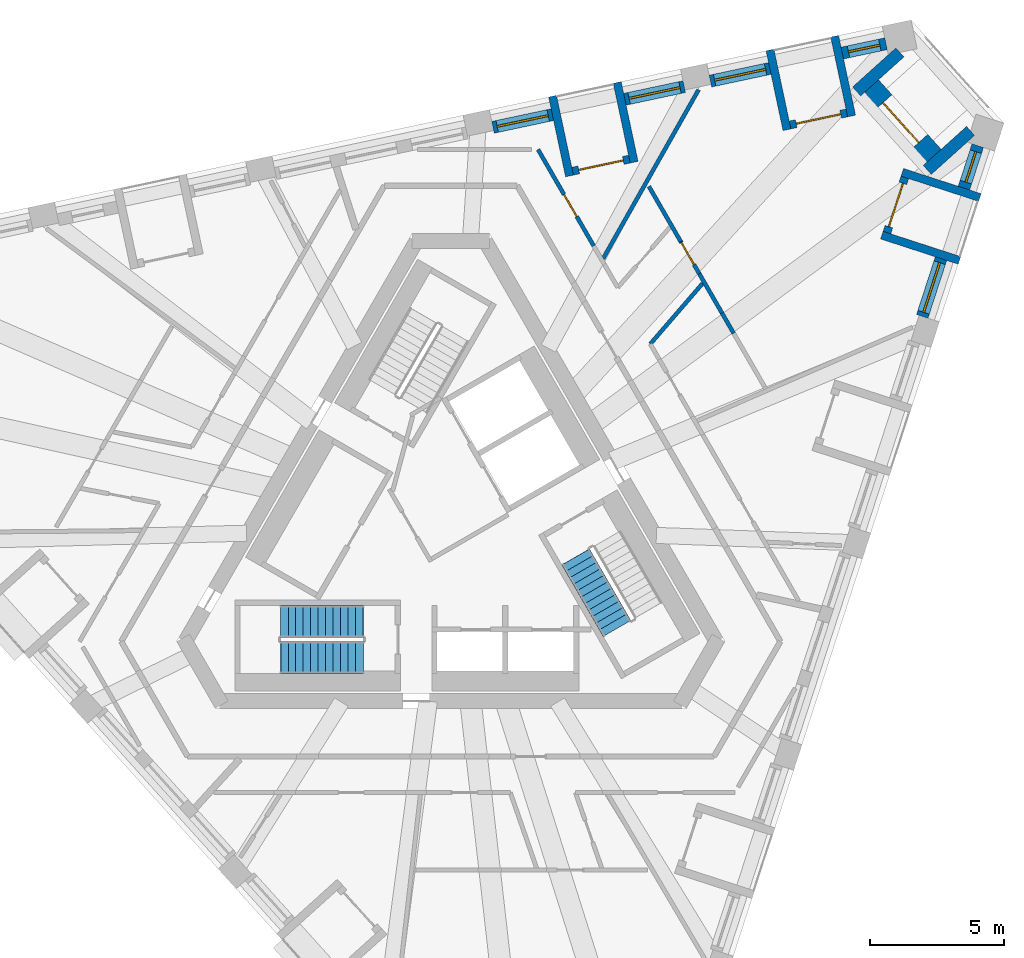
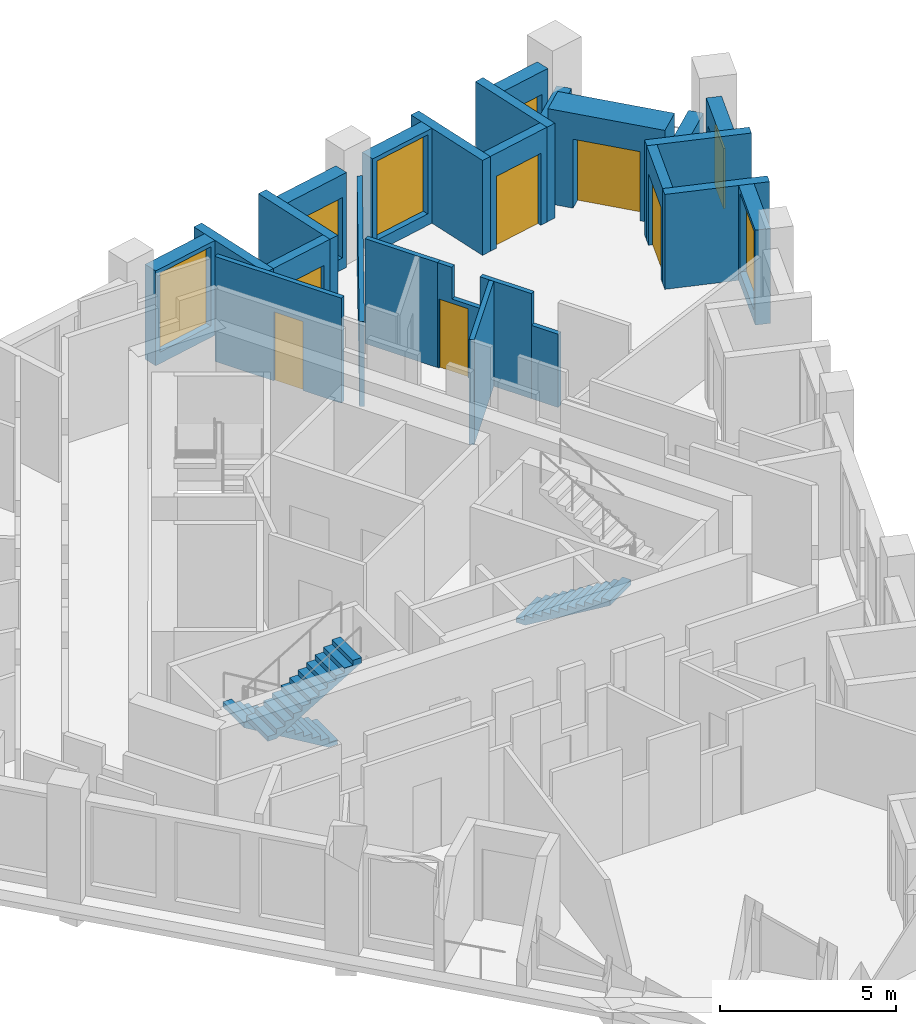
# One storey, part 8 of 13: 25 walls, 6 doors, 6 windows, 3 stair flights, 12 openings, 2 elements without a shape of their own.
"""IFC4 building model written with IfcOpenShell, lengths in metres."""

from ifc_helpers import new_model, si_unit, direction, frame, frame_2d, origin, place, context, subcontext, project, spatial, polyline, rectangle, outline, extrude, material, layer, layer_set, type_object, element, fill, aggregate, save


model = new_model("IFC4")

# Units and contexts
model_context = context("Model", 3, precision=1e-05, world=origin(), true_north=direction((0.0, 1.0)))
body_context = subcontext(model_context, "Body", "Model", "MODEL_VIEW")
ifc_project = project(units=[si_unit("LENGTHUNIT", "METRE"), si_unit("AREAUNIT", "SQUARE_METRE"), si_unit("VOLUMEUNIT", "CUBIC_METRE"), si_unit("PLANEANGLEUNIT", "RADIAN"), si_unit("MASSUNIT", "GRAM", prefix="KILO")], contexts=[model_context])

# Site, building, storey
site_placement = place(None, origin())
site = spatial("IfcSite", under=ifc_project, at=site_placement, CompositionType="ELEMENT")
building_placement = place(site_placement, origin())
building = spatial("IfcBuilding", under=site, at=building_placement, Name="Tramontana Tower", CompositionType="ELEMENT")
storey_placement = place(building_placement, frame((0.0, 0.0, 328.39990234375)))
storey = spatial("IfcBuildingStorey", under=building, at=storey_placement, Name="L75", CompositionType="ELEMENT", Elevation=328.39990234375)

# Wall, opening, window
ifc_material_1 = material(Name="Precast concrete 60 MPa", Category="concrete")
ifc_layer_1 = layer(ifc_material_1, 0.449951171875)
ifc_layer_set_1 = layer_set([ifc_layer_1], Name="Precast concrete 60 MPa, 450 mm")
wall_type_1 = type_object("IfcWallType", Name="EW1 Stone-faced precast wall 450", PredefinedType="SOLIDWALL", material=ifc_layer_set_1)
wall_1_placement = place(storey_placement, frame((17.632080078125, 7.9091796875, 0.0), z_axis=(0.0, 0.0, 1.0), x_axis=(0.309027740273, 0.951053024674, 0.0)))
wall_1 = element("IfcWall", 1, at=wall_1_placement, inside=storey, type_object=wall_type_1, Name="External wall L75 face 1 bay 5", PredefinedType="SOLIDWALL", context=body_context, shape_type="SweptSolid", body=[
    extrude(rectangle(XDim=2.271240234375, YDim=0.449951171875, at=frame_2d((1.1357421875, 0.0))), origin(), (0.0, 0.0, 1.0), 3.300048828125),
])
opening_1_placement = place(wall_1_placement, frame((0.16064453125, 0.0, 0.39990234375)))
opening_1 = element("IfcOpeningElement", 2, at=opening_1_placement, cuts=wall_1, Name="Opening M3", PredefinedType="OPENING", context=body_context, shape_type="SweptSolid", body=[
    extrude(rectangle(XDim=1.949951171875, YDim=2.75, at=frame_2d((0.97509765625, 1.375))), frame((0.0, 0.23486328125, 0.0), z_axis=(0.0, -1.0, 0.0), x_axis=(1.0, 0.0, 0.0)), (0.0, 0.0, 1.0), 0.469970703125),
])
ifc_material_2 = material(Name="Aluminum frame, double glazing unit", Category="aluminium")
window_type_1 = type_object("IfcWindowType", Name="M3 Window 1.95 x 2.75", PartitioningType="SINGLE_PANEL", PredefinedType="WINDOW", material=ifc_material_2)
window_1_placement = place(opening_1_placement, origin())
window_1 = element("IfcWindow", 3, at=window_1_placement, inside=storey, type_object=window_type_1, Name="Window M3 L75 face 1 module 13", OverallHeight=2.75, OverallWidth=1.949951171875, PartitioningType="SINGLE_PANEL", PredefinedType="WINDOW", context=body_context, shape_type="SweptSolid", body=[
    extrude(rectangle(XDim=1.949951171875, YDim=2.75, at=frame_2d((0.97509765625, 1.375))), frame((0.0, 0.030029296875, 0.0), z_axis=(0.0, -1.0, 0.0), x_axis=(1.0, 0.0, 0.0)), (0.0, 0.0, 1.0), 0.06005859375),
])
fill(opening_1, window_1)

wall_2_placement = place(storey_placement, frame((19.1904296875, 12.705078125, 0.0), z_axis=(0.0, 0.0, 1.0), x_axis=(0.30898696848, 0.951066271776, 0.0)))
wall_2 = element("IfcWall", 4, at=wall_2_placement, inside=storey, type_object=wall_type_1, Name="External wall L75 face 1 bay 5", PredefinedType="SOLIDWALL", context=body_context, shape_type="SweptSolid", body=[
    extrude(rectangle(XDim=1.671142578125, YDim=0.449951171875, at=frame_2d((0.83544921875, 0.0))), origin(), (0.0, 0.0, 1.0), 3.300048828125),
])
opening_2_placement = place(wall_2_placement, frame((0.235595703125, 0.0, 0.39990234375)))
opening_2 = element("IfcOpeningElement", 5, at=opening_2_placement, cuts=wall_2, Name="Opening N3L", PredefinedType="OPENING", context=body_context, shape_type="SweptSolid", body=[
    extrude(rectangle(XDim=1.199951171875, YDim=2.10009765625, at=frame_2d((0.60009765625, 1.050048828125))), frame((0.0, 0.23486328125, 0.0), z_axis=(0.0, -1.0, 0.0), x_axis=(1.0, 0.0, 0.0)), (0.0, 0.0, 1.0), 0.469970703125),
])
ifc_material_3 = material(Name="Aluminum frame, double glazing unit", Category="aluminium")
window_type_2 = type_object("IfcWindowType", Name="N3L Window 1.2 x 2.1", PartitioningType="SINGLE_PANEL", PredefinedType="WINDOW", material=ifc_material_3)
window_2_placement = place(opening_2_placement, origin())
window_2 = element("IfcWindow", 6, at=window_2_placement, inside=storey, type_object=window_type_2, Name="Window N3L L75 face 1 module 15", OverallHeight=2.10009765625, OverallWidth=1.199951171875, PartitioningType="SINGLE_PANEL", PredefinedType="WINDOW", context=body_context, shape_type="SweptSolid", body=[
    extrude(rectangle(XDim=1.199951171875, YDim=2.10009765625, at=frame_2d((0.60009765625, 1.050048828125))), frame((0.0, 0.030029296875, 0.0), z_axis=(0.0, -1.0, 0.0), x_axis=(1.0, 0.0, 0.0)), (0.0, 0.0, 1.0), 0.06005859375),
])
fill(opening_2, window_2)

wall_3_placement = place(storey_placement, frame((16.276123046875, 18.104736328125, 0.0), z_axis=(0.0, 0.0, 1.0), x_axis=(-0.978126168783, -0.208012494676, 0.0)))
wall_3 = element("IfcWall", 7, at=wall_3_placement, inside=storey, type_object=wall_type_1, Name="External wall L75 face 2 bay 1", PredefinedType="SOLIDWALL", context=body_context, shape_type="SweptSolid", body=[
    extrude(rectangle(XDim=1.67138671875, YDim=0.449951171875, at=frame_2d((0.835693359375, 0.0))), origin(), (0.0, 0.0, 1.0), 3.300048828125),
])
opening_3_placement = place(wall_3_placement, frame((0.235595703125, 0.0, 0.39990234375)))
opening_3 = element("IfcOpeningElement", 8, at=opening_3_placement, cuts=wall_3, Name="Opening N3L", PredefinedType="OPENING", context=body_context, shape_type="SweptSolid", body=[
    extrude(rectangle(XDim=1.199951171875, YDim=2.10009765625, at=frame_2d((0.60009765625, 1.050048828125))), frame((0.0, 0.23486328125, 0.0), z_axis=(0.0, -1.0, 0.0), x_axis=(1.0, 0.0, 0.0)), (0.0, 0.0, 1.0), 0.469970703125),
])
window_3_placement = place(opening_3_placement, origin())
window_3 = element("IfcWindow", 9, at=window_3_placement, inside=storey, type_object=window_type_2, Name="Window N3L L75 face 2 module 1", OverallHeight=2.10009765625, OverallWidth=1.199951171875, PartitioningType="SINGLE_PANEL", PredefinedType="WINDOW", context=body_context, shape_type="SweptSolid", body=[
    extrude(rectangle(XDim=1.199951171875, YDim=2.10009765625, at=frame_2d((0.60009765625, 1.050048828125))), frame((0.0, 0.030029296875, 0.0), z_axis=(0.0, -1.0, 0.0), x_axis=(1.0, 0.0, 0.0)), (0.0, 0.0, 1.0), 0.06005859375),
])
fill(opening_3, window_3)

wall_4_placement = place(storey_placement, frame((11.9306640625, 17.180908203125, 0.0), z_axis=(0.0, 0.0, 1.0), x_axis=(-0.978153386925, -0.207884467067, 0.0)))
wall_4 = element("IfcWall", 10, at=wall_4_placement, inside=storey, type_object=wall_type_1, Name="External wall L75 face 2 bay 1", PredefinedType="SOLIDWALL", context=body_context, shape_type="SweptSolid", body=[
    extrude(rectangle(XDim=2.271240234375, YDim=0.449951171875, at=frame_2d((1.1357421875, 0.0))), origin(), (0.0, 0.0, 1.0), 3.300048828125),
])
opening_4_placement = place(wall_4_placement, frame((0.16064453125, 0.0, 0.39990234375)))
opening_4 = element("IfcOpeningElement", 11, at=opening_4_placement, cuts=wall_4, Name="Opening M3", PredefinedType="OPENING", context=body_context, shape_type="SweptSolid", body=[
    extrude(rectangle(XDim=1.949951171875, YDim=2.75, at=frame_2d((0.97509765625, 1.375))), frame((0.0, 0.23486328125, 0.0), z_axis=(0.0, -1.0, 0.0), x_axis=(1.0, 0.0, 0.0)), (0.0, 0.0, 1.0), 0.469970703125),
])
window_4_placement = place(opening_4_placement, origin())
window_4 = element("IfcWindow", 12, at=window_4_placement, inside=storey, type_object=window_type_1, Name="Window M3 L75 face 2 module 3", OverallHeight=2.75, OverallWidth=1.949951171875, PartitioningType="SINGLE_PANEL", PredefinedType="WINDOW", context=body_context, shape_type="SweptSolid", body=[
    extrude(rectangle(XDim=1.949951171875, YDim=2.75, at=frame_2d((0.97509765625, 1.375))), frame((0.0, 0.030029296875, 0.0), z_axis=(0.0, -1.0, 0.0), x_axis=(1.0, 0.0, 0.0)), (0.0, 0.0, 1.0), 0.06005859375),
])
fill(opening_4, window_4)

wall_5_placement = place(storey_placement, frame((8.73095703125, 16.500732421875, 0.0), z_axis=(0.0, 0.0, 1.0), x_axis=(-0.978153386925, -0.207884467067, 0.0)))
wall_5 = element("IfcWall", 13, at=wall_5_placement, inside=storey, type_object=wall_type_1, Name="External wall L75 face 2 bay 2", PredefinedType="SOLIDWALL", context=body_context, shape_type="SweptSolid", body=[
    extrude(rectangle(XDim=2.271240234375, YDim=0.449951171875, at=frame_2d((1.1357421875, 0.0))), origin(), (0.0, 0.0, 1.0), 3.300048828125),
])
opening_5_placement = place(wall_5_placement, frame((0.16064453125, 0.0, 0.39990234375)))
opening_5 = element("IfcOpeningElement", 14, at=opening_5_placement, cuts=wall_5, Name="Opening M3L", PredefinedType="OPENING", context=body_context, shape_type="SweptSolid", body=[
    extrude(rectangle(XDim=1.949951171875, YDim=2.10009765625, at=frame_2d((0.97509765625, 1.050048828125))), frame((0.0, 0.23486328125, 0.0), z_axis=(0.0, -1.0, 0.0), x_axis=(1.0, 0.0, 0.0)), (0.0, 0.0, 1.0), 0.469970703125),
])
ifc_material_4 = material(Name="Aluminum frame, double glazing unit", Category="aluminium")
window_type_3 = type_object("IfcWindowType", Name="M3L Window 1.95 x 2.1", PartitioningType="SINGLE_PANEL", PredefinedType="WINDOW", material=ifc_material_4)
window_5_placement = place(opening_5_placement, origin())
window_5 = element("IfcWindow", 15, at=window_5_placement, inside=storey, type_object=window_type_3, Name="Window M3L L75 face 2 module 4", OverallHeight=2.10009765625, OverallWidth=1.949951171875, PartitioningType="SINGLE_PANEL", PredefinedType="WINDOW", context=body_context, shape_type="SweptSolid", body=[
    extrude(rectangle(XDim=1.949951171875, YDim=2.10009765625, at=frame_2d((0.97509765625, 1.050048828125))), frame((0.0, 0.030029296875, 0.0), z_axis=(0.0, -1.0, 0.0), x_axis=(1.0, 0.0, 0.0)), (0.0, 0.0, 1.0), 0.06005859375),
])
fill(opening_5, window_5)

wall_6_placement = place(storey_placement, frame((3.798583984375, 15.452392578125, 0.0), z_axis=(0.0, 0.0, 1.0), x_axis=(-0.978153386925, -0.207884467067, 0.0)))
wall_6 = element("IfcWall", 16, at=wall_6_placement, inside=storey, type_object=wall_type_1, Name="External wall L75 face 2 bay 2", PredefinedType="SOLIDWALL", context=body_context, shape_type="SweptSolid", body=[
    extrude(rectangle(XDim=2.271240234375, YDim=0.449951171875, at=frame_2d((1.1357421875, 0.0))), origin(), (0.0, 0.0, 1.0), 3.300048828125),
])
opening_6_placement = place(wall_6_placement, frame((0.16064453125, 0.0, 0.39990234375)))
opening_6 = element("IfcOpeningElement", 17, at=opening_6_placement, cuts=wall_6, Name="Opening M3", PredefinedType="OPENING", context=body_context, shape_type="SweptSolid", body=[
    extrude(rectangle(XDim=1.949951171875, YDim=2.75, at=frame_2d((0.97509765625, 1.375))), frame((0.0, 0.23486328125, 0.0), z_axis=(0.0, -1.0, 0.0), x_axis=(1.0, 0.0, 0.0)), (0.0, 0.0, 1.0), 0.469970703125),
])
window_6_placement = place(opening_6_placement, origin())
window_6 = element("IfcWindow", 18, at=window_6_placement, inside=storey, type_object=window_type_1, Name="Window M3 L75 face 2 module 6", OverallHeight=2.75, OverallWidth=1.949951171875, PartitioningType="SINGLE_PANEL", PredefinedType="WINDOW", context=body_context, shape_type="SweptSolid", body=[
    extrude(rectangle(XDim=1.949951171875, YDim=2.75, at=frame_2d((0.97509765625, 1.375))), frame((0.0, 0.030029296875, 0.0), z_axis=(0.0, -1.0, 0.0), x_axis=(1.0, 0.0, 0.0)), (0.0, 0.0, 1.0), 0.06005859375),
])
fill(opening_6, window_6)

# Walls
wall_7_placement = place(storey_placement, frame((16.795654296875, 17.780517578125, 0.0), z_axis=(0.0, 0.0, 1.0), x_axis=(-0.743165997662, -0.669107091518, 0.0)))
element("IfcWall", 19, at=wall_7_placement, inside=storey, type_object=wall_type_1, Name="Corner loggia side wall L75 K82l", PredefinedType="SOLIDWALL", context=body_context, shape_type="SweptSolid", body=[
    extrude(rectangle(XDim=2.178955078125, YDim=0.449951171875, at=frame_2d((1.08935546875, 0.0))), origin(), (0.0, 0.0, 1.0), 2.550048828125),
])
wall_8_placement = place(storey_placement, frame((19.438720703125, 14.84521484375, 0.0), z_axis=(0.0, 0.0, 1.0), x_axis=(-0.743110286166, -0.669168964159, 0.0)))
element("IfcWall", 20, at=wall_8_placement, inside=storey, type_object=wall_type_1, Name="Corner loggia side wall L75 K82r", PredefinedType="SOLIDWALL", context=body_context, shape_type="SweptSolid", body=[
    extrude(rectangle(XDim=2.17919921875, YDim=0.449951171875, at=frame_2d((1.089599609375, 0.0))), origin(), (0.0, 0.0, 1.0), 2.550048828125),
])

# Wall, opening, door
ifc_material_5 = material(Name="Precast concrete 60 MPa", Category="concrete")
ifc_layer_2 = layer(ifc_material_5, 0.89990234375)
ifc_layer_set_2 = layer_set([ifc_layer_2], Name="EW2 Stone-faced corner loggia wall 900")
wall_type_2 = type_object("IfcWallType", Name="EW2 Stone-faced corner loggia wall 900", PredefinedType="SOLIDWALL", material=ifc_layer_set_2)
wall_9_placement = place(storey_placement, frame((15.6611328125, 16.456298828125, 0.0), z_axis=(0.0, 0.0, 1.0), x_axis=(0.669134277936, -0.743141519559, 0.0)))
wall_9 = element("IfcWall", 21, at=wall_9_placement, inside=storey, type_object=wall_type_2, Name="Corner loggia wall L75 K82", PredefinedType="SOLIDWALL", context=body_context, shape_type="SweptSolid", body=[
    extrude(rectangle(XDim=3.5, YDim=0.89990234375, at=frame_2d((1.75, 0.0))), origin(), (0.0, 0.0, 1.0), 3.300048828125),
])
opening_7_placement = place(wall_9_placement, frame((0.75, 0.0, 0.0)))
opening_7 = element("IfcOpeningElement", 22, at=opening_7_placement, cuts=wall_9, Name="Opening BD-82C", PredefinedType="OPENING", context=body_context, shape_type="SweptSolid", body=[
    extrude(rectangle(XDim=2.0, YDim=2.39990234375, at=frame_2d((1.0, 1.199951171875))), frame((0.0, 0.4599609375, 0.0), z_axis=(0.0, -1.0, 0.0), x_axis=(1.0, 0.0, 0.0)), (0.0, 0.0, 1.0), 0.919921875),
])
ifc_material_6 = material(Name="Aluminum frame, double glazing unit", Category="aluminium")
door_type_1 = type_object("IfcDoorType", Name="BC1 Sliding door 2 x 2.4", OperationType="SLIDING_TO_LEFT", PredefinedType="DOOR", material=ifc_material_6)
door_1_placement = place(opening_7_placement, origin())
door_1 = element("IfcDoor", 23, at=door_1_placement, inside=storey, type_object=door_type_1, Name="Corner loggia door L75 K82", OperationType="SLIDING_TO_LEFT", OverallHeight=2.39990234375, OverallWidth=2.0, PredefinedType="DOOR", context=body_context, shape_type="SweptSolid", body=[
    extrude(rectangle(XDim=2.0, YDim=2.39990234375, at=frame_2d((1.0, 1.199951171875))), frame((0.0, 0.02490234375, 0.0), z_axis=(0.0, -1.0, 0.0), x_axis=(1.0, 0.0, 0.0)), (0.0, 0.0, 1.0), 0.050048828125),
])
fill(opening_7, door_1)

ifc_material_7 = material(Name="Precast concrete 60 MPa", Category="concrete")
ifc_layer_3 = layer(ifc_material_7, 0.300048828125)
ifc_layer_set_3 = layer_set([ifc_layer_3], Name="LW1 Stone-faced loggia wall 300")
wall_type_3 = type_object("IfcWallType", Name="LW1 Stone-faced loggia wall 300", PredefinedType="SOLIDWALL", material=ifc_layer_set_3)
wall_10_placement = place(storey_placement, frame((16.310546875, 11.042236328125, 0.0), z_axis=(0.0, 0.0, 1.0), x_axis=(0.308999623589, 0.95106216023, 0.0)))
wall_10 = element("IfcWall", 24, at=wall_10_placement, inside=storey, type_object=wall_type_3, Name="Loggia wall L75 G8S1.13", PredefinedType="SOLIDWALL", context=body_context, shape_type="SweptSolid", body=[
    extrude(rectangle(XDim=2.171142578125, YDim=0.300048828125, at=frame_2d((1.08544921875, 0.0))), origin(), (0.0, 0.0, 1.0), 3.300048828125),
])
opening_8_placement = place(wall_10_placement, frame((0.235595703125, 0.0, 0.0)))
opening_8 = element("IfcOpeningElement", 25, at=opening_8_placement, cuts=wall_10, Name="Opening BD-8S1-13", PredefinedType="OPENING", context=body_context, shape_type="SweptSolid", body=[
    extrude(rectangle(XDim=1.699951171875, YDim=2.5, at=frame_2d((0.85009765625, 1.25))), frame((0.0, 0.159912109375, 0.0), z_axis=(0.0, -1.0, 0.0), x_axis=(1.0, 0.0, 0.0)), (0.0, 0.0, 1.0), 0.320068359375),
])
ifc_material_8 = material(Name="Aluminum frame, double glazing unit", Category="aluminium")
door_type_2 = type_object("IfcDoorType", Name="BD3 Sliding door 1.7 x 2.5", OperationType="SLIDING_TO_LEFT", PredefinedType="DOOR", material=ifc_material_8)
door_2_placement = place(opening_8_placement, origin())
door_2 = element("IfcDoor", 26, at=door_2_placement, inside=storey, type_object=door_type_2, Name="Loggia door L75 G8S1.13", OperationType="SLIDING_TO_LEFT", OverallHeight=2.5, OverallWidth=1.699951171875, PredefinedType="DOOR", context=body_context, shape_type="SweptSolid", body=[
    extrude(rectangle(XDim=1.699951171875, YDim=2.5, at=frame_2d((0.85009765625, 1.25))), frame((0.0, 0.02490234375, 0.0), z_axis=(0.0, -1.0, 0.0), x_axis=(1.0, 0.0, 0.0)), (0.0, 0.0, 1.0), 0.050048828125),
])
fill(opening_8, door_2)

# Walls
for number, where, z_axis, x_axis, name in (
    (27, (19.022216796875, 10.00341796875, 0.0), (0.0, 0.0, 1.0), (-0.951041715693, 0.309062542235, 0.0), "Loggia return L75 G8S1.13a"),
    (28, (19.785888671875, 12.353759765625, 0.0), (0.0, 0.0, 1.0), (-0.951041715693, 0.309062542235, 0.0), "Loggia return L75 G8S1.13b"),
):
    element("IfcWall", number, at=place(storey_placement, frame(where, z_axis=z_axis, x_axis=x_axis)), inside=storey, type_object=wall_type_3, Name=name, PredefinedType="SOLIDWALL", context=body_context, shape_type="SweptSolid", body=[
        extrude(rectangle(XDim=3.050048828125, YDim=0.300048828125, at=frame_2d((1.52490234375, 0.0))), origin(), (0.0, 0.0, 1.0), 3.300048828125),
    ])

# Wall, opening, door
wall_11_placement = place(storey_placement, frame((14.810546875, 15.518310546875, 0.0), z_axis=(0.0, 0.0, 1.0), x_axis=(-0.978148276005, -0.207908513891, 0.0)))
wall_11 = element("IfcWall", 29, at=wall_11_placement, inside=storey, type_object=wall_type_3, Name="Loggia wall L75 G8S2.1", PredefinedType="SOLIDWALL", context=body_context, shape_type="SweptSolid", body=[
    extrude(rectangle(XDim=2.171142578125, YDim=0.300048828125, at=frame_2d((1.08544921875, 0.0))), origin(), (0.0, 0.0, 1.0), 3.300048828125),
])
opening_9_placement = place(wall_11_placement, frame((0.235595703125, 0.0, 0.0)))
opening_9 = element("IfcOpeningElement", 30, at=opening_9_placement, cuts=wall_11, Name="Opening BD-8S2-01", PredefinedType="OPENING", context=body_context, shape_type="SweptSolid", body=[
    extrude(rectangle(XDim=1.699951171875, YDim=2.5, at=frame_2d((0.85009765625, 1.25))), frame((0.0, 0.159912109375, 0.0), z_axis=(0.0, -1.0, 0.0), x_axis=(1.0, 0.0, 0.0)), (0.0, 0.0, 1.0), 0.320068359375),
])
door_3_placement = place(opening_9_placement, origin())
door_3 = element("IfcDoor", 31, at=door_3_placement, inside=storey, type_object=door_type_2, Name="Loggia door L75 G8S2.1", OperationType="SLIDING_TO_LEFT", OverallHeight=2.5, OverallWidth=1.699951171875, PredefinedType="DOOR", context=body_context, shape_type="SweptSolid", body=[
    extrude(rectangle(XDim=1.699951171875, YDim=2.5, at=frame_2d((0.85009765625, 1.25))), frame((0.0, 0.02490234375, 0.0), z_axis=(0.0, -1.0, 0.0), x_axis=(1.0, 0.0, 0.0)), (0.0, 0.0, 1.0), 0.050048828125),
])
fill(opening_9, door_3)

# Walls
wall_12_placement = place(storey_placement, frame((14.354248046875, 18.38623046875, 0.0), z_axis=(0.0, 0.0, 1.0), x_axis=(0.207954487003, -0.978138503145, 0.0)))
element("IfcWall", 32, at=wall_12_placement, inside=storey, type_object=wall_type_3, Name="Loggia return L75 G8S2.1a", PredefinedType="SOLIDWALL", context=body_context, shape_type="SweptSolid", body=[
    extrude(rectangle(XDim=3.050048828125, YDim=0.300048828125, at=frame_2d((1.52490234375, 0.0))), origin(), (0.0, 0.0, 1.0), 3.300048828125),
])
wall_13_placement = place(storey_placement, frame((11.93701171875, 17.872314453125, 0.0), z_axis=(0.0, 0.0, 1.0), x_axis=(0.207894179953, -0.978151322619, 0.0)))
element("IfcWall", 33, at=wall_13_placement, inside=storey, type_object=wall_type_3, Name="Loggia return L75 G8S2.1b", PredefinedType="SOLIDWALL", context=body_context, shape_type="SweptSolid", body=[
    extrude(rectangle(XDim=3.0498046875, YDim=0.300048828125, at=frame_2d((1.52490234375, 0.0))), origin(), (0.0, 0.0, 1.0), 3.300048828125),
])

# Wall, opening, door
wall_14_placement = place(storey_placement, frame((6.678466796875, 13.789794921875, 0.0), z_axis=(0.0, 0.0, 1.0), x_axis=(-0.978153135692, -0.207885649183, 0.0)))
wall_14 = element("IfcWall", 34, at=wall_14_placement, inside=storey, type_object=wall_type_3, Name="Loggia wall L75 G8S2.4", PredefinedType="SOLIDWALL", context=body_context, shape_type="SweptSolid", body=[
    extrude(rectangle(XDim=2.17138671875, YDim=0.300048828125, at=frame_2d((1.085693359375, 0.0))), origin(), (0.0, 0.0, 1.0), 3.300048828125),
])
opening_10_placement = place(wall_14_placement, frame((0.235595703125, 0.0, 0.0)))
opening_10 = element("IfcOpeningElement", 35, at=opening_10_placement, cuts=wall_14, Name="Opening BD-8S2-04", PredefinedType="OPENING", context=body_context, shape_type="SweptSolid", body=[
    extrude(rectangle(XDim=1.699951171875, YDim=2.5, at=frame_2d((0.85009765625, 1.25))), frame((0.0, 0.159912109375, 0.0), z_axis=(0.0, -1.0, 0.0), x_axis=(1.0, 0.0, 0.0)), (0.0, 0.0, 1.0), 0.320068359375),
])
door_4_placement = place(opening_10_placement, origin())
door_4 = element("IfcDoor", 36, at=door_4_placement, inside=storey, type_object=door_type_2, Name="Loggia door L75 G8S2.4", OperationType="SLIDING_TO_LEFT", OverallHeight=2.5, OverallWidth=1.699951171875, PredefinedType="DOOR", context=body_context, shape_type="SweptSolid", body=[
    extrude(rectangle(XDim=1.699951171875, YDim=2.5, at=frame_2d((0.85009765625, 1.25))), frame((0.0, 0.02490234375, 0.0), z_axis=(0.0, -1.0, 0.0), x_axis=(1.0, 0.0, 0.0)), (0.0, 0.0, 1.0), 0.050048828125),
])
fill(opening_10, door_4)

# Walls
for number, where, z_axis, x_axis, name in (
    (37, (6.22216796875, 16.65771484375, 0.0), (0.0, 0.0, 1.0), (0.207877902534, -0.978154782045, 0.0), "Loggia return L75 G8S2.4a"),
    (38, (3.804931640625, 16.143798828125, 0.0), (0.0, 0.0, 1.0), (0.207877902534, -0.978154782045, 0.0), "Loggia return L75 G8S2.4b"),
):
    element("IfcWall", number, at=place(storey_placement, frame(where, z_axis=z_axis, x_axis=x_axis)), inside=storey, type_object=wall_type_3, Name=name, PredefinedType="SOLIDWALL", context=body_context, shape_type="SweptSolid", body=[
        extrude(rectangle(XDim=3.050048828125, YDim=0.300048828125, at=frame_2d((1.52490234375, 0.0))), origin(), (0.0, 0.0, 1.0), 3.300048828125),
    ])

# Wall, opening, door
ifc_material_9 = material(Name="Gypsum board partition")
ifc_layer_4 = layer(ifc_material_9, 0.14990234375)
ifc_layer_set_4 = layer_set([ifc_layer_4], Name="PARTITION 150")
wall_type_4 = type_object("IfcWallType", Name="PARTITION 150", PredefinedType="PARTITIONING", material=ifc_layer_set_4)
wall_15_placement = place(storey_placement, frame((3.261962890625, 14.14990234375, 0.0), z_axis=(0.0, 0.0, 1.0), x_axis=(0.500032238466, -0.866006790097, 0.0)))
wall_15 = element("IfcWall", 39, at=wall_15_placement, inside=storey, type_object=wall_type_4, Name="Wall v80-pw18-0", PredefinedType="PARTITIONING", context=body_context, shape_type="SweptSolid", body=[
    extrude(rectangle(XDim=4.161376953125, YDim=0.14990234375, at=frame_2d((2.08056640625, 0.0))), origin(), (0.0, 0.0, 1.0), 3.650146484375),
])
opening_11_placement = place(wall_15_placement, frame((1.94140625, 0.0, 0.0)))
opening_11 = element("IfcOpeningElement", 40, at=opening_11_placement, cuts=wall_15, Name="Opening B8A-17", PredefinedType="OPENING", context=body_context, shape_type="SweptSolid", body=[
    extrude(rectangle(XDim=0.949951171875, YDim=2.39990234375, at=frame_2d((0.47509765625, 1.199951171875))), frame((0.0, 0.0849609375, 0.0), z_axis=(0.0, -1.0, 0.0), x_axis=(1.0, 0.0, 0.0)), (0.0, 0.0, 1.0), 0.169921875),
])
ifc_material_10 = material(Name="Painted timber", Category="wood")
door_type_3 = type_object("IfcDoorType", Name="DOOR ROOM 950", OperationType="SINGLE_SWING_LEFT", PredefinedType="DOOR", material=ifc_material_10)
door_5_placement = place(opening_11_placement, origin())
door_5 = element("IfcDoor", 41, at=door_5_placement, inside=storey, type_object=door_type_3, Name="Door B8A-17", OperationType="SINGLE_SWING_LEFT", OverallHeight=2.39990234375, OverallWidth=0.949951171875, PredefinedType="DOOR", context=body_context, shape_type="SweptSolid", body=[
    extrude(rectangle(XDim=0.949951171875, YDim=2.39990234375, at=frame_2d((0.47509765625, 1.199951171875))), frame((0.0, 0.02490234375, 0.0), z_axis=(0.0, -1.0, 0.0), x_axis=(1.0, 0.0, 0.0)), (0.0, 0.0, 1.0), 0.050048828125),
])
fill(opening_11, door_5)

# Walls
wall_16_placement = place(storey_placement, frame((5.69970703125, 10.077880859375, 0.0), z_axis=(0.0, 0.0, 1.0), x_axis=(0.492280407927, 0.870436672005, 0.0)))
element("IfcWall", 42, at=wall_16_placement, inside=storey, type_object=wall_type_4, Name="Wall v80-pw20-0", PredefinedType="PARTITIONING", context=body_context, shape_type="SweptSolid", body=[
    extrude(rectangle(XDim=7.24560546875, YDim=0.14990234375, at=frame_2d((3.622802734375, 0.0))), origin(), (0.0, 0.0, 1.0), 2.9501953125),
])
wall_17_placement = place(storey_placement, frame((7.4072265625, 12.7705078125, 0.0), z_axis=(0.0, 0.0, 1.0), x_axis=(0.499968171535, -0.866043779177, 0.0)))
element("IfcWall", 43, at=wall_17_placement, inside=storey, type_object=wall_type_4, Name="Wall v80-pw24-0", PredefinedType="PARTITIONING", context=body_context, shape_type="SweptSolid", body=[
    extrude(rectangle(XDim=2.379638671875, YDim=0.14990234375, at=frame_2d((1.18994140625, 0.0))), origin(), (0.0, 0.0, 1.0), 3.650146484375),
])

# Wall, opening, door
wall_18_placement = place(storey_placement, frame((8.596923828125, 10.709716796875, 0.0), z_axis=(0.0, 0.0, 1.0), x_axis=(0.499950230578, -0.866054136267, 0.0)))
wall_18 = element("IfcWall", 44, at=wall_18_placement, inside=storey, type_object=wall_type_4, Name="Wall v80-pw24-1", PredefinedType="PARTITIONING", context=body_context, shape_type="SweptSolid", body=[
    extrude(outline(polyline([(0.0, 0.0), (1.391845703125, 0.0), (1.3916015625, 2.550048828125), (0.47412109375, 2.550048828125), (0.47412109375, 3.650146484375), (0.0, 3.650146484375), (0.0, 0.0)])), frame((0.0, 0.074951171875, 0.0), z_axis=(0.0, -1.0, 0.0), x_axis=(1.0, 0.0, 0.0)), (0.0, 0.0, 1.0), 0.14990234375),
])
opening_12_placement = place(wall_18_placement, frame((0.050048828125, 0.0, 0.0)))
opening_12 = element("IfcOpeningElement", 45, at=opening_12_placement, cuts=wall_18, Name="Opening B8A-15", PredefinedType="OPENING", context=body_context, shape_type="SweptSolid", body=[
    extrude(rectangle(XDim=0.949951171875, YDim=2.39990234375, at=frame_2d((0.47509765625, 1.199951171875))), frame((0.0, 0.0849609375, 0.0), z_axis=(0.0, -1.0, 0.0), x_axis=(1.0, 0.0, 0.0)), (0.0, 0.0, 1.0), 0.169921875),
])
door_6_placement = place(opening_12_placement, origin())
door_6 = element("IfcDoor", 46, at=door_6_placement, inside=storey, type_object=door_type_3, Name="Door B8A-15", OperationType="SINGLE_SWING_LEFT", OverallHeight=2.39990234375, OverallWidth=0.949951171875, PredefinedType="DOOR", context=body_context, shape_type="SweptSolid", body=[
    extrude(rectangle(XDim=0.949951171875, YDim=2.39990234375, at=frame_2d((0.47509765625, 1.199951171875))), frame((0.0, 0.02490234375, 0.0), z_axis=(0.0, -1.0, 0.0), x_axis=(1.0, 0.0, 0.0)), (0.0, 0.0, 1.0), 0.050048828125),
])
fill(opening_12, door_6)

# Walls
wall_19_placement = place(storey_placement, frame((9.292724609375, 9.50439453125, 0.0), z_axis=(0.0, 0.0, 1.0), x_axis=(0.500046963369, -0.865998287773, 0.0)))
element("IfcWall", 47, at=wall_19_placement, inside=storey, type_object=wall_type_4, Name="Wall v80-pw24-2", PredefinedType="PARTITIONING", context=body_context, shape_type="SweptSolid", body=[
    extrude(rectangle(XDim=1.693115234375, YDim=0.14990234375, at=frame_2d((0.8466796875, 0.0))), origin(), (0.0, 0.0, 1.0), 3.650146484375),
])
wall_20_placement = place(storey_placement, frame((10.139404296875, 8.0380859375, 0.0), z_axis=(0.0, 0.0, 1.0), x_axis=(0.499866452165, -0.866102493935, 0.0)))
element("IfcWall", 48, at=wall_20_placement, inside=storey, type_object=wall_type_4, Name="Wall v80-pw24-3", PredefinedType="PARTITIONING", context=body_context, shape_type="SweptSolid", body=[
    extrude(rectangle(XDim=0.880615234375, YDim=0.14990234375, at=frame_2d((0.4404296875, 0.0))), origin(), (0.0, 0.0, 1.0), 2.550048828125),
])
wall_21_placement = place(storey_placement, frame((9.416015625, 9.140869140625, 0.0), z_axis=(0.0, 0.0, 1.0), x_axis=(-0.653726199584, -0.756731164931, 0.0)))
element("IfcWall", 49, at=wall_21_placement, inside=storey, type_object=wall_type_4, Name="Wall v80-pw26", PredefinedType="PARTITIONING", context=body_context, shape_type="SweptSolid", body=[
    extrude(rectangle(XDim=2.98876953125, YDim=0.14990234375, at=frame_2d((1.494384765625, 0.0))), origin(), (0.0, 0.0, 1.0), 3.650146484375),
])

# Stair, stair flights
ifc_material_11 = material(Name="Concrete 40 MPa", Category="concrete")
stair_type = type_object("IfcStairType", Name="EXIT STAIR 24 RISERS", PredefinedType="HALF_TURN_STAIR", material=ifc_material_11)
stair_1_placement = place(storey_placement, origin())
stair_1 = element("IfcStair", 50, at=stair_1_placement, inside=storey, type_object=stair_type, Name="L75 Exit stair ST2", PredefinedType="HALF_TURN_STAIR")
ifc_material_12 = material(Name="Concrete 40 MPa", Category="concrete")
ifc_layer_5 = layer(ifc_material_12, 0.14990234375)
ifc_layer_set_5 = layer_set([ifc_layer_5], Name="EXIT STAIR FLIGHT")
stair_flight_type = type_object("IfcStairFlightType", Name="EXIT STAIR FLIGHT", PredefinedType="STRAIGHT", material=ifc_layer_set_5)
stair_flight_1_placement = place(storey_placement, frame((-3.280029296875, -3.5, 0.0), z_axis=(0.0, 0.0, 1.0), x_axis=(-1.0, 0.0, 0.0)))
stair_flight_1 = element("IfcStairFlight", 51, at=stair_flight_1_placement, type_object=stair_flight_type, Name="ST2 flight 1", NumberOfRisers=12, NumberOfTreads=11, PredefinedType="STRAIGHT", RiserHeight=0.166666667, TreadLength=0.28, context=body_context, shape_type="SweptSolid", body=[
    extrude(outline(polyline([(-0.006103515625, 0.0), (-0.006103515625, 0.0400390625), (0.0, 0.0400390625), (0.0, 0.166748046875), (0.280029296875, 0.166748046875), (0.280029296875, 0.333251953125), (0.56005859375, 0.333251953125), (0.56005859375, 0.5), (0.840087890625, 0.5), (0.840087890625, 0.666748046875), (1.1201171875, 0.666748046875), (1.1201171875, 0.833251953125), (1.39990234375, 0.833251953125), (1.39990234375, 1.0), (1.679931640625, 1.0), (1.679931640625, 1.166748046875), (1.9599609375, 1.166748046875), (1.9599609375, 1.333251953125), (2.239990234375, 1.333251953125), (2.239990234375, 1.5), (2.52001953125, 1.5), (2.52001953125, 1.666748046875), (2.800048828125, 1.666748046875), (2.800048828125, 1.833251953125), (3.080078125, 1.833251953125), (3.0859375, 1.833251953125), (3.0859375, 1.658935546875), (0.299072265625, 0.0), (-0.006103515625, 0.0)])), frame((0.0, 0.60009765625, 0.0), z_axis=(0.0, -1.0, 0.0), x_axis=(1.0, 0.0, 0.0)), (0.0, 0.0, 1.0), 1.199951171875),
])
stair_flight_2_placement = place(storey_placement, frame((-6.360107421875, -4.85009765625, 2.0), z_axis=(0.0, 0.0, 1.0), x_axis=(1.0, 0.0, 0.0)))
stair_flight_2 = element("IfcStairFlight", 52, at=stair_flight_2_placement, type_object=stair_flight_type, Name="ST2 flight 2", NumberOfRisers=12, NumberOfTreads=11, PredefinedType="STRAIGHT", RiserHeight=0.166666667, TreadLength=0.28, context=body_context, shape_type="SweptSolid", body=[
    extrude(outline(polyline([(-0.006103515625, 0.0), (-0.006103515625, 0.0400390625), (0.0, 0.0400390625), (0.0, 0.166748046875), (0.280029296875, 0.166748046875), (0.280029296875, 0.333251953125), (0.56005859375, 0.333251953125), (0.56005859375, 0.5), (0.840087890625, 0.5), (0.840087890625, 0.666748046875), (1.1201171875, 0.666748046875), (1.1201171875, 0.833251953125), (1.39990234375, 0.833251953125), (1.39990234375, 1.0), (1.679931640625, 1.0), (1.679931640625, 1.166748046875), (1.9599609375, 1.166748046875), (1.9599609375, 1.333251953125), (2.239990234375, 1.333251953125), (2.239990234375, 1.5), (2.52001953125, 1.5), (2.52001953125, 1.666748046875), (2.800048828125, 1.666748046875), (2.800048828125, 1.833251953125), (3.080078125, 1.833251953125), (3.0859375, 1.833251953125), (3.0859375, 1.658935546875), (0.299072265625, 0.0), (-0.006103515625, 0.0)])), frame((0.0, 0.60009765625, 0.0), z_axis=(0.0, -1.0, 0.0), x_axis=(1.0, 0.0, 0.0)), (0.0, 0.0, 1.0), 1.199951171875),
])
aggregate(stair_1, [stair_flight_1, stair_flight_2])

# Stair, stair flight
stair_2_placement = place(storey_placement, origin())
stair_2 = element("IfcStair", 53, at=stair_2_placement, inside=storey, type_object=stair_type, Name="L75 Exit stair ST3", PredefinedType="HALF_TURN_STAIR")
stair_flight_3_placement = place(storey_placement, frame((4.671142578125, -1.090576171875, 0.0), z_axis=(0.0, 0.0, 1.0), x_axis=(0.5, -0.866025403784, 0.0)))
stair_flight_3 = element("IfcStairFlight", 54, at=stair_flight_3_placement, type_object=stair_flight_type, Name="ST3 flight 1", NumberOfRisers=12, NumberOfTreads=11, PredefinedType="STRAIGHT", RiserHeight=0.166666667, TreadLength=0.28, context=body_context, shape_type="SweptSolid", body=[
    extrude(outline(polyline([(-0.006103515625, 0.0), (-0.006103515625, 0.0400390625), (0.0, 0.0400390625), (0.0, 0.166748046875), (0.280029296875, 0.166748046875), (0.280029296875, 0.333251953125), (0.56005859375, 0.333251953125), (0.56005859375, 0.5), (0.840087890625, 0.5), (0.840087890625, 0.666748046875), (1.1201171875, 0.666748046875), (1.1201171875, 0.833251953125), (1.39990234375, 0.833251953125), (1.39990234375, 1.0), (1.679931640625, 1.0), (1.679931640625, 1.166748046875), (1.9599609375, 1.166748046875), (1.9599609375, 1.333251953125), (2.239990234375, 1.333251953125), (2.239990234375, 1.5), (2.52001953125, 1.5), (2.52001953125, 1.666748046875), (2.800048828125, 1.666748046875), (2.800048828125, 1.833251953125), (3.080078125, 1.833251953125), (3.0859375, 1.833251953125), (3.0859375, 1.658935546875), (0.299072265625, 0.0), (-0.006103515625, 0.0)])), frame((0.0, 0.60009765625, 0.0), z_axis=(0.0, -1.0, 0.0), x_axis=(1.0, 0.0, 0.0)), (0.0, 0.0, 1.0), 1.199951171875),
])
aggregate(stair_2, [stair_flight_3])

save(model, "model.ifc")
